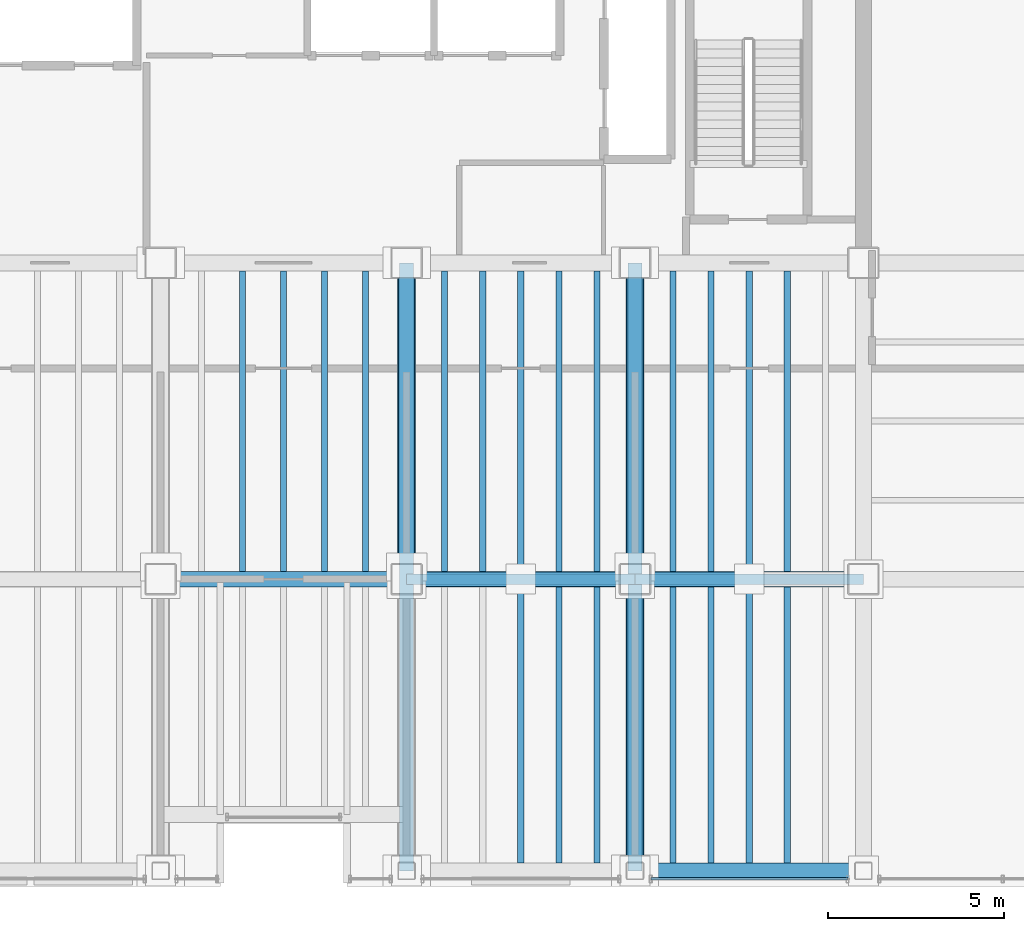
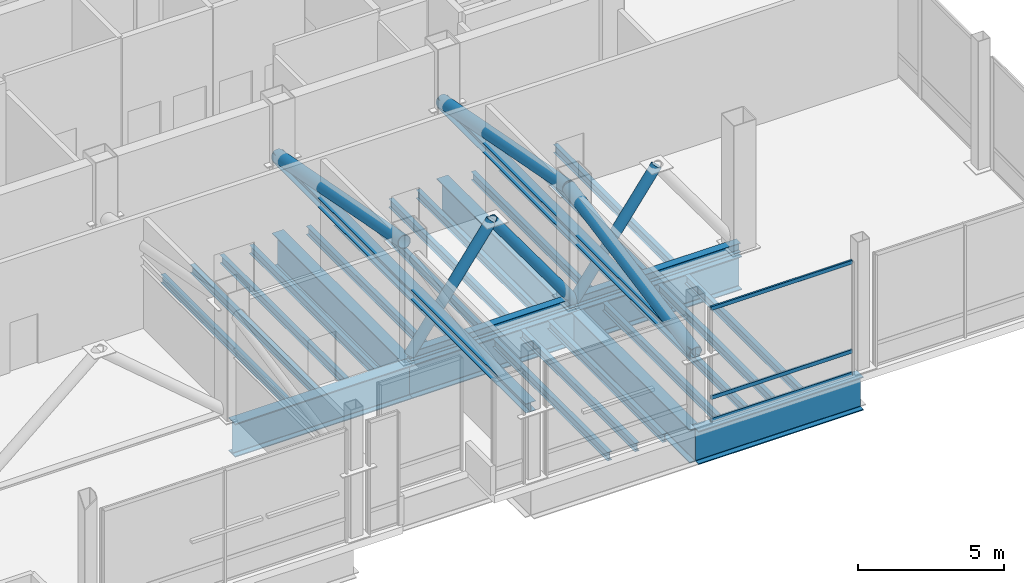
# One storey, part 6 of 18: 27 beams, 13 members, 1 element without a shape of its own.
"""IFC4 building model written with IfcOpenShell, lengths in metres."""

from ifc_helpers import new_model, si_unit, direction, frame, origin, origin_2d, place, context, subcontext, project, spatial, hollow_rectangle, hollow_circle, i_section, extrude, material, material_profile, profile_set, type_object, element, aggregate, save


model = new_model("IFC4")

# Units and contexts
model_context = context("Model", 3, precision=1e-05, world=origin(), true_north=direction((0.0, 1.0)))
body_context = subcontext(model_context, "Body", "Model", "MODEL_VIEW")
ifc_project = project(units=[si_unit("LENGTHUNIT", "METRE"), si_unit("AREAUNIT", "SQUARE_METRE"), si_unit("VOLUMEUNIT", "CUBIC_METRE"), si_unit("PLANEANGLEUNIT", "RADIAN"), si_unit("MASSUNIT", "GRAM", prefix="KILO")], contexts=[model_context])

# Site, building, storey
site_placement = place(None, origin())
site = spatial("IfcSite", under=ifc_project, at=site_placement, CompositionType="ELEMENT")
building_placement = place(site_placement, origin())
building = spatial("IfcBuilding", under=site, at=building_placement, Name="Noeulbin Bourse Tower", CompositionType="ELEMENT")
storey_placement = place(building_placement, frame((0.0, 0.0, 200.699951171875)))
storey = spatial("IfcBuildingStorey", under=building, at=storey_placement, Name="L50", CompositionType="ELEMENT", Elevation=200.699951171875)

# Beams
ifc_material_1 = material(Name="Steel S355", Category="steel")
ifc_material_profile_1 = material_profile(ifc_material_1, i_section(OverallWidth=0.175048828125, OverallDepth=0.35009765625, WebThickness=0.007080078125, FlangeThickness=0.010986328125, FilletRadius=0.013916015625, at=origin_2d()), Name="H-350x175x7x11", Category="LoadBearing")
ifc_profile_set_1 = profile_set([ifc_material_profile_1], Name="Steel S355")
beam_type_1 = type_object("IfcBeamType", Name="BM-JST-350", PredefinedType="JOIST", material=ifc_profile_set_1)
for number, where, z_axis, x_axis, name in (
    (1, (26.333251953125, 20.22509765625, -0.474853515625), (0.0, 1.0, 0.0), (-1.0, 0.0, 0.0), "Tower Composite Joist L50-20"),
    (2, (27.5, 20.22509765625, -0.474853515625), (0.0, 1.0, 0.0), (-1.0, 0.0, 0.0), "Tower Composite Joist L50-22"),
    (3, (28.666748046875, 20.22509765625, -0.474853515625), (0.0, 1.0, 0.0), (-1.0, 0.0, 0.0), "Tower Composite Joist L50-24"),
    (4, (29.833251953125, 20.22509765625, -0.474853515625), (0.0, 1.0, 0.0), (-1.0, 0.0, 0.0), "Tower Composite Joist L50-26"),
    (5, (32.083251953125, 20.22509765625, -0.474853515625), (0.0, 1.0, 0.0), (-1.0, 0.0, 0.0), "Tower Composite Joist L50-28"),
    (6, (33.166748046875, 20.22509765625, -0.474853515625), (0.0, 1.0, 0.0), (-1.0, 0.0, 0.0), "Tower Composite Joist L50-30"),
):
    element("IfcBeam", number, at=place(storey_placement, frame(where, z_axis=z_axis, x_axis=x_axis)), inside=storey, type_object=beam_type_1, Name=name, PredefinedType="JOIST", context=body_context, shape_type="SweptSolid", body=[
        extrude(i_section(OverallWidth=0.175048828125, OverallDepth=0.35009765625, WebThickness=0.007080078125, FlangeThickness=0.010986328125, FilletRadius=0.013916015625, at=origin_2d()), origin(), (0.0, 0.0, 1.0), 8.5498046875),
    ])
beam_1_placement = place(storey_placement, frame((34.25, 11.925048828125, -0.474853515625), z_axis=(0.0, 1.0, 0.0), x_axis=(-1.0, 0.0, 0.0)))
element("IfcBeam", 7, at=beam_1_placement, inside=storey, type_object=beam_type_1, Name="Tower Composite Joist L50-31", PredefinedType="JOIST", context=body_context, shape_type="SweptSolid", body=[
    extrude(i_section(OverallWidth=0.175048828125, OverallDepth=0.35009765625, WebThickness=0.007080078125, FlangeThickness=0.010986328125, FilletRadius=0.013916015625, at=origin_2d()), origin(), (0.0, 0.0, 1.0), 7.849853515625),
])
beam_2_placement = place(storey_placement, frame((34.25, 20.22509765625, -0.474853515625), z_axis=(0.0, 1.0, 0.0), x_axis=(-1.0, 0.0, 0.0)))
element("IfcBeam", 8, at=beam_2_placement, inside=storey, type_object=beam_type_1, Name="Tower Composite Joist L50-32", PredefinedType="JOIST", context=body_context, shape_type="SweptSolid", body=[
    extrude(i_section(OverallWidth=0.175048828125, OverallDepth=0.35009765625, WebThickness=0.007080078125, FlangeThickness=0.010986328125, FilletRadius=0.013916015625, at=origin_2d()), origin(), (0.0, 0.0, 1.0), 8.5498046875),
])
beam_3_placement = place(storey_placement, frame((35.333251953125, 11.925048828125, -0.474853515625), z_axis=(0.0, 1.0, 0.0), x_axis=(-1.0, 0.0, 0.0)))
element("IfcBeam", 9, at=beam_3_placement, inside=storey, type_object=beam_type_1, Name="Tower Composite Joist L50-33", PredefinedType="JOIST", context=body_context, shape_type="SweptSolid", body=[
    extrude(i_section(OverallWidth=0.175048828125, OverallDepth=0.35009765625, WebThickness=0.007080078125, FlangeThickness=0.010986328125, FilletRadius=0.013916015625, at=origin_2d()), origin(), (0.0, 0.0, 1.0), 7.849853515625),
])
beam_4_placement = place(storey_placement, frame((35.333251953125, 20.22509765625, -0.474853515625), z_axis=(0.0, 1.0, 0.0), x_axis=(-1.0, 0.0, 0.0)))
element("IfcBeam", 10, at=beam_4_placement, inside=storey, type_object=beam_type_1, Name="Tower Composite Joist L50-34", PredefinedType="JOIST", context=body_context, shape_type="SweptSolid", body=[
    extrude(i_section(OverallWidth=0.175048828125, OverallDepth=0.35009765625, WebThickness=0.007080078125, FlangeThickness=0.010986328125, FilletRadius=0.013916015625, at=origin_2d()), origin(), (0.0, 0.0, 1.0), 8.5498046875),
])
beam_5_placement = place(storey_placement, frame((36.416748046875, 11.925048828125, -0.474853515625), z_axis=(0.0, 1.0, 0.0), x_axis=(-1.0, 0.0, 0.0)))
element("IfcBeam", 11, at=beam_5_placement, inside=storey, type_object=beam_type_1, Name="Tower Composite Joist L50-35", PredefinedType="JOIST", context=body_context, shape_type="SweptSolid", body=[
    extrude(i_section(OverallWidth=0.175048828125, OverallDepth=0.35009765625, WebThickness=0.007080078125, FlangeThickness=0.010986328125, FilletRadius=0.013916015625, at=origin_2d()), origin(), (0.0, 0.0, 1.0), 7.849853515625),
])
beam_6_placement = place(storey_placement, frame((36.416748046875, 20.22509765625, -0.474853515625), z_axis=(0.0, 1.0, 0.0), x_axis=(-1.0, 0.0, 0.0)))
element("IfcBeam", 12, at=beam_6_placement, inside=storey, type_object=beam_type_1, Name="Tower Composite Joist L50-36", PredefinedType="JOIST", context=body_context, shape_type="SweptSolid", body=[
    extrude(i_section(OverallWidth=0.175048828125, OverallDepth=0.35009765625, WebThickness=0.007080078125, FlangeThickness=0.010986328125, FilletRadius=0.013916015625, at=origin_2d()), origin(), (0.0, 0.0, 1.0), 8.5498046875),
])
beam_7_placement = place(storey_placement, frame((38.583251953125, 11.925048828125, -0.474853515625), z_axis=(0.0, 1.0, 0.0), x_axis=(-1.0, 0.0, 0.0)))
element("IfcBeam", 13, at=beam_7_placement, inside=storey, type_object=beam_type_1, Name="Tower Composite Joist L50-37", PredefinedType="JOIST", context=body_context, shape_type="SweptSolid", body=[
    extrude(i_section(OverallWidth=0.175048828125, OverallDepth=0.35009765625, WebThickness=0.007080078125, FlangeThickness=0.010986328125, FilletRadius=0.013916015625, at=origin_2d()), origin(), (0.0, 0.0, 1.0), 7.849853515625),
])
beam_8_placement = place(storey_placement, frame((38.583251953125, 20.22509765625, -0.474853515625), z_axis=(0.0, 1.0, 0.0), x_axis=(-1.0, 0.0, 0.0)))
element("IfcBeam", 14, at=beam_8_placement, inside=storey, type_object=beam_type_1, Name="Tower Composite Joist L50-38", PredefinedType="JOIST", context=body_context, shape_type="SweptSolid", body=[
    extrude(i_section(OverallWidth=0.175048828125, OverallDepth=0.35009765625, WebThickness=0.007080078125, FlangeThickness=0.010986328125, FilletRadius=0.013916015625, at=origin_2d()), origin(), (0.0, 0.0, 1.0), 8.5498046875),
])
beam_9_placement = place(storey_placement, frame((39.666748046875, 11.925048828125, -0.474853515625), z_axis=(0.0, 1.0, 0.0), x_axis=(-1.0, 0.0, 0.0)))
element("IfcBeam", 15, at=beam_9_placement, inside=storey, type_object=beam_type_1, Name="Tower Composite Joist L50-39", PredefinedType="JOIST", context=body_context, shape_type="SweptSolid", body=[
    extrude(i_section(OverallWidth=0.175048828125, OverallDepth=0.35009765625, WebThickness=0.007080078125, FlangeThickness=0.010986328125, FilletRadius=0.013916015625, at=origin_2d()), origin(), (0.0, 0.0, 1.0), 7.849853515625),
])
beam_10_placement = place(storey_placement, frame((39.666748046875, 20.22509765625, -0.474853515625), z_axis=(0.0, 1.0, 0.0), x_axis=(-1.0, 0.0, 0.0)))
element("IfcBeam", 16, at=beam_10_placement, inside=storey, type_object=beam_type_1, Name="Tower Composite Joist L50-40", PredefinedType="JOIST", context=body_context, shape_type="SweptSolid", body=[
    extrude(i_section(OverallWidth=0.175048828125, OverallDepth=0.35009765625, WebThickness=0.007080078125, FlangeThickness=0.010986328125, FilletRadius=0.013916015625, at=origin_2d()), origin(), (0.0, 0.0, 1.0), 8.5498046875),
])
beam_11_placement = place(storey_placement, frame((40.75, 11.925048828125, -0.474853515625), z_axis=(0.0, 1.0, 0.0), x_axis=(-1.0, 0.0, 0.0)))
element("IfcBeam", 17, at=beam_11_placement, inside=storey, type_object=beam_type_1, Name="Tower Composite Joist L50-41", PredefinedType="JOIST", context=body_context, shape_type="SweptSolid", body=[
    extrude(i_section(OverallWidth=0.175048828125, OverallDepth=0.35009765625, WebThickness=0.007080078125, FlangeThickness=0.010986328125, FilletRadius=0.013916015625, at=origin_2d()), origin(), (0.0, 0.0, 1.0), 7.849853515625),
])
beam_12_placement = place(storey_placement, frame((40.75, 20.22509765625, -0.474853515625), z_axis=(0.0, 1.0, 0.0), x_axis=(-1.0, 0.0, 0.0)))
element("IfcBeam", 18, at=beam_12_placement, inside=storey, type_object=beam_type_1, Name="Tower Composite Joist L50-42", PredefinedType="JOIST", context=body_context, shape_type="SweptSolid", body=[
    extrude(i_section(OverallWidth=0.175048828125, OverallDepth=0.35009765625, WebThickness=0.007080078125, FlangeThickness=0.010986328125, FilletRadius=0.013916015625, at=origin_2d()), origin(), (0.0, 0.0, 1.0), 8.5498046875),
])
beam_13_placement = place(storey_placement, frame((41.833251953125, 11.925048828125, -0.474853515625), z_axis=(0.0, 1.0, 0.0), x_axis=(-1.0, 0.0, 0.0)))
element("IfcBeam", 19, at=beam_13_placement, inside=storey, type_object=beam_type_1, Name="Tower Composite Joist L50-43", PredefinedType="JOIST", context=body_context, shape_type="SweptSolid", body=[
    extrude(i_section(OverallWidth=0.175048828125, OverallDepth=0.35009765625, WebThickness=0.007080078125, FlangeThickness=0.010986328125, FilletRadius=0.013916015625, at=origin_2d()), origin(), (0.0, 0.0, 1.0), 7.849853515625),
])
beam_14_placement = place(storey_placement, frame((41.833251953125, 20.22509765625, -0.474853515625), z_axis=(0.0, 1.0, 0.0), x_axis=(-1.0, 0.0, 0.0)))
element("IfcBeam", 20, at=beam_14_placement, inside=storey, type_object=beam_type_1, Name="Tower Composite Joist L50-44", PredefinedType="JOIST", context=body_context, shape_type="SweptSolid", body=[
    extrude(i_section(OverallWidth=0.175048828125, OverallDepth=0.35009765625, WebThickness=0.007080078125, FlangeThickness=0.010986328125, FilletRadius=0.013916015625, at=origin_2d()), origin(), (0.0, 0.0, 1.0), 8.5498046875),
])
ifc_material_2 = material(Name="Steel S460", Category="steel")
ifc_material_profile_2 = material_profile(ifc_material_2, i_section(OverallWidth=0.449951171875, OverallDepth=1.39990234375, WebThickness=0.02392578125, FlangeThickness=0.0400390625, FilletRadius=0.02392578125, at=origin_2d()), Name="PG-1400x450x24x40", Category="LoadBearing")
ifc_profile_set_2 = profile_set([ifc_material_profile_2], Name="Steel S460")
beam_type_2 = type_object("IfcBeamType", Name="BM-TRF-1400", PredefinedType="USERDEFINED", material=ifc_profile_set_2)
beam_15_placement = place(storey_placement, frame((24.0, 20.0, -1.0), z_axis=(1.0, 0.0, 0.0), x_axis=(0.0, 1.0, 0.0)))
element("IfcBeam", 21, at=beam_15_placement, inside=storey, type_object=beam_type_2, Name="Tower Primary Girder EW L50-1.3", ObjectType="GIRDER", PredefinedType="USERDEFINED", context=body_context, shape_type="SweptSolid", body=[
    extrude(i_section(OverallWidth=0.449951171875, OverallDepth=1.39990234375, WebThickness=0.02392578125, FlangeThickness=0.0400390625, FilletRadius=0.02392578125, at=origin_2d()), origin(), (0.0, 0.0, 1.0), 7.0),
])
for number, where, z_axis, x_axis, name in (
    (22, (31.0, 20.0, -1.0), (1.0, 0.0, 0.0), (0.0, 1.0, 0.0), "Tower Primary Girder EW L50-1.4"),
    (23, (37.5, 20.0, -1.0), (1.0, 0.0, 0.0), (0.0, 1.0, 0.0), "Tower Primary Girder EW L50-1.5"),
):
    element("IfcBeam", number, at=place(storey_placement, frame(where, z_axis=z_axis, x_axis=x_axis)), inside=storey, type_object=beam_type_2, Name=name, ObjectType="GIRDER", PredefinedType="USERDEFINED", context=body_context, shape_type="SweptSolid", body=[
        extrude(i_section(OverallWidth=0.449951171875, OverallDepth=1.39990234375, WebThickness=0.02392578125, FlangeThickness=0.0400390625, FilletRadius=0.02392578125, at=origin_2d()), origin(), (0.0, 0.0, 1.0), 6.5),
    ])
beam_16_placement = place(storey_placement, frame((31.0, 20.0, -1.0), z_axis=(0.0, 1.0, 0.0), x_axis=(-1.0, 0.0, 0.0)))
element("IfcBeam", 24, at=beam_16_placement, inside=storey, type_object=beam_type_2, Name="Tower Primary Girder NS L50-3.2", ObjectType="GIRDER", PredefinedType="USERDEFINED", context=body_context, shape_type="SweptSolid", body=[
    extrude(i_section(OverallWidth=0.449951171875, OverallDepth=1.39990234375, WebThickness=0.02392578125, FlangeThickness=0.0400390625, FilletRadius=0.02392578125, at=origin_2d()), origin(), (0.0, 0.0, 1.0), 9.0),
])
beam_17_placement = place(storey_placement, frame((37.5, 11.699951171875, -1.0), z_axis=(0.0, 1.0, 0.0), x_axis=(-1.0, 0.0, 0.0)))
element("IfcBeam", 25, at=beam_17_placement, inside=storey, type_object=beam_type_2, Name="Tower Primary Girder NS L50-4.1", ObjectType="GIRDER", PredefinedType="USERDEFINED", context=body_context, shape_type="SweptSolid", body=[
    extrude(i_section(OverallWidth=0.449951171875, OverallDepth=1.39990234375, WebThickness=0.02392578125, FlangeThickness=0.0400390625, FilletRadius=0.02392578125, at=origin_2d()), origin(), (0.0, 0.0, 1.0), 8.300048828125),
])
beam_18_placement = place(storey_placement, frame((37.5, 20.0, -1.0), z_axis=(0.0, 1.0, 0.0), x_axis=(-1.0, 0.0, 0.0)))
element("IfcBeam", 26, at=beam_18_placement, inside=storey, type_object=beam_type_2, Name="Tower Primary Girder NS L50-4.2", ObjectType="GIRDER", PredefinedType="USERDEFINED", context=body_context, shape_type="SweptSolid", body=[
    extrude(i_section(OverallWidth=0.449951171875, OverallDepth=1.39990234375, WebThickness=0.02392578125, FlangeThickness=0.0400390625, FilletRadius=0.02392578125, at=origin_2d()), origin(), (0.0, 0.0, 1.0), 9.0),
])
beam_19_placement = place(storey_placement, frame((37.5, 11.699951171875, -1.0), z_axis=(1.0, 0.0, 0.0), x_axis=(0.0, 1.0, 0.0)))
element("IfcBeam", 27, at=beam_19_placement, inside=storey, type_object=beam_type_2, Name="South Spandrel L50-4", ObjectType="GIRDER", PredefinedType="USERDEFINED", context=body_context, shape_type="SweptSolid", body=[
    extrude(i_section(OverallWidth=0.449951171875, OverallDepth=1.39990234375, WebThickness=0.02392578125, FlangeThickness=0.0400390625, FilletRadius=0.02392578125, at=origin_2d()), origin(), (0.0, 0.0, 1.0), 6.5),
])

# Curtain wall, members
ifc_material_3 = material(Name="Translucent Ceramic-Fritted Glass", Category="glass")
curtain_wall_type = type_object("IfcCurtainWallType", Name="CW-SYS-5", PredefinedType="NOTDEFINED", material=ifc_material_3)
curtain_wall_placement = place(storey_placement, origin())
curtain_wall = element("IfcCurtainWall", 28, at=curtain_wall_placement, inside=storey, type_object=curtain_wall_type, Name="Unitised Curtain Wall CW-L50-S2-S3", PredefinedType="NOTDEFINED")
ifc_material_4 = material(Name="Anodised Aluminium 6063-T6", Category="aluminium")
ifc_material_profile_3 = material_profile(ifc_material_4, hollow_rectangle(XDim=0.074951171875, YDim=0.159912109375, WallThickness=0.0048828125, InnerFilletRadius=0.00244140625, OuterFilletRadius=0.0048828125, at=origin_2d()), Name="ALU-TRAN-75x160x5", Category="LoadBearing")
ifc_profile_set_3 = profile_set([ifc_material_profile_3], Name="Anodised Aluminium 6063-T6")
member_type_1 = type_object("IfcMemberType", Name="CW-SYS-5-TRN", PredefinedType="USERDEFINED", material=ifc_profile_set_3)
member_1_placement = place(storey_placement, frame((37.9599609375, 11.469970703125, 0.010009765625), z_axis=(1.0, 0.0, 0.0), x_axis=(0.0, 1.0, 0.0)))
member_1 = element("IfcMember", 29, at=member_1_placement, type_object=member_type_1, Name="Curtain Wall Transom CW-L50-S2-S3-T00", ObjectType="TRANSOM", PredefinedType="USERDEFINED", context=body_context, shape_type="SweptSolid", body=[
    extrude(hollow_rectangle(XDim=0.074951171875, YDim=0.159912109375, WallThickness=0.0048828125, InnerFilletRadius=0.00244140625, OuterFilletRadius=0.0048828125, at=origin_2d()), origin(), (0.0, 0.0, 1.0), 5.580078125),
])
member_2_placement = place(storey_placement, frame((37.9599609375, 11.469970703125, 0.949951171875), z_axis=(1.0, 0.0, 0.0), x_axis=(0.0, 1.0, 0.0)))
member_2 = element("IfcMember", 30, at=member_2_placement, type_object=member_type_1, Name="Curtain Wall Transom CW-L50-S2-S3-T01", ObjectType="TRANSOM", PredefinedType="USERDEFINED", context=body_context, shape_type="SweptSolid", body=[
    extrude(hollow_rectangle(XDim=0.074951171875, YDim=0.159912109375, WallThickness=0.0048828125, InnerFilletRadius=0.00244140625, OuterFilletRadius=0.0048828125, at=origin_2d()), origin(), (0.0, 0.0, 1.0), 5.580078125),
])
member_3_placement = place(storey_placement, frame((37.9599609375, 11.469970703125, 4.670166015625), z_axis=(1.0, 0.0, 0.0), x_axis=(0.0, 1.0, 0.0)))
member_3 = element("IfcMember", 31, at=member_3_placement, type_object=member_type_1, Name="Curtain Wall Transom CW-L50-S2-S3-T02", ObjectType="TRANSOM", PredefinedType="USERDEFINED", context=body_context, shape_type="SweptSolid", body=[
    extrude(hollow_rectangle(XDim=0.074951171875, YDim=0.159912109375, WallThickness=0.0048828125, InnerFilletRadius=0.00244140625, OuterFilletRadius=0.0048828125, at=origin_2d()), origin(), (0.0, 0.0, 1.0), 5.580078125),
])
aggregate(curtain_wall, [member_1, member_2, member_3])

# Members
ifc_material_profile_4 = material_profile(ifc_material_1, hollow_circle(Radius=0.203125, WallThickness=0.01611328125, at=origin_2d()), Name="CHS-406.4x16.0", Category="LoadBearing")
ifc_profile_set_4 = profile_set([ifc_material_profile_4], Name="Steel S355")
member_type_2 = type_object("IfcMemberType", Name="MEM-BLT-406", PredefinedType="BRACE", material=ifc_profile_set_4)
for number, where, z_axis, x_axis, name in (
    (32, (31.0, 20.0, 0.010009765625), (0.58634739167, 0.0, 0.810059711553), (0.0, 1.0, 0.0), "Interior Spine Belt Diagonal BT-L50-2A"),
    (33, (34.25, 20.0, 4.5), (0.58634739167, 0.0, -0.810059711553), (0.0, 1.0, 0.0), "Interior Spine Belt Diagonal BT-L50-2B"),
    (34, (37.5, 20.0, 0.010009765625), (0.58634739167, 0.0, 0.810059711553), (0.0, 1.0, 0.0), "Interior Spine Belt Diagonal BT-L50-3A"),
):
    element("IfcMember", number, at=place(storey_placement, frame(where, z_axis=z_axis, x_axis=x_axis)), inside=storey, type_object=member_type_2, Name=name, PredefinedType="BRACE", context=body_context, shape_type="SweptSolid", body=[
        extrude(hollow_circle(Radius=0.203125, WallThickness=0.01611328125, at=origin_2d()), origin(), (0.0, 0.0, 1.0), 5.542724609375),
    ])
ifc_material_profile_5 = material_profile(ifc_material_1, i_section(OverallWidth=0.300048828125, OverallDepth=0.389892578125, WebThickness=0.010009765625, FlangeThickness=0.01611328125, FilletRadius=0.01806640625, at=origin_2d()), Name="H-390x300x10x16", Category="LoadBearing")
ifc_profile_set_5 = profile_set([ifc_material_profile_5], Name="Steel S355")
member_type_3 = type_object("IfcMemberType", Name="MEM-CHD-390", PredefinedType="CHORD", material=ifc_profile_set_5)
for number, where, z_axis, x_axis, name in (
    (35, (31.0, 20.0, 0.010009765625), (1.0, 0.0, 0.0), (0.0, 1.0, 0.0), "Interior Spine Belt Chord CH-L50-B2"),
    (36, (37.5, 20.0, 0.010009765625), (1.0, 0.0, 0.0), (0.0, 1.0, 0.0), "Interior Spine Belt Chord CH-L50-B3"),
):
    element("IfcMember", number, at=place(storey_placement, frame(where, z_axis=z_axis, x_axis=x_axis)), inside=storey, type_object=member_type_3, Name=name, PredefinedType="CHORD", context=body_context, shape_type="SweptSolid", body=[
        extrude(i_section(OverallWidth=0.300048828125, OverallDepth=0.389892578125, WebThickness=0.010009765625, FlangeThickness=0.01611328125, FilletRadius=0.01806640625, at=origin_2d()), origin(), (0.0, 0.0, 1.0), 6.5),
    ])
ifc_material_profile_6 = material_profile(ifc_material_2, i_section(OverallWidth=0.39990234375, OverallDepth=0.39990234375, WebThickness=0.012939453125, FlangeThickness=0.02099609375, FilletRadius=0.02197265625, at=origin_2d()), Name="H-400x400x13x21", Category="LoadBearing")
ifc_profile_set_6 = profile_set([ifc_material_profile_6], Name="Steel S460")
member_type_4 = type_object("IfcMemberType", Name="MEM-CHD-400", PredefinedType="CHORD", material=ifc_profile_set_6)
for number, where, z_axis, x_axis, name in (
    (37, (31.0, 29.0, 2.85009765625), (0.0, -1.0, 0.0), (1.0, 0.0, 0.0), "Outrigger Bottom Chord CH-L50-2"),
    (38, (37.5, 29.0, 2.85009765625), (0.0, -1.0, 0.0), (1.0, 0.0, 0.0), "Outrigger Bottom Chord CH-L50-3"),
):
    element("IfcMember", number, at=place(storey_placement, frame(where, z_axis=z_axis, x_axis=x_axis)), inside=storey, type_object=member_type_4, Name=name, PredefinedType="CHORD", context=body_context, shape_type="SweptSolid", body=[
        extrude(i_section(OverallWidth=0.39990234375, OverallDepth=0.39990234375, WebThickness=0.012939453125, FlangeThickness=0.02099609375, FilletRadius=0.02197265625, at=origin_2d()), origin(), (0.0, 0.0, 1.0), 17.300048828125),
    ])
ifc_material_profile_7 = material_profile(ifc_material_2, hollow_circle(Radius=0.25390625, WallThickness=0.02197265625, at=origin_2d()), Name="CHS-508.0x22.0", Category="LoadBearing")
ifc_profile_set_7 = profile_set([ifc_material_profile_7], Name="Steel S460")
member_type_5 = type_object("IfcMemberType", Name="MEM-OUT-508", PredefinedType="BRACE", material=ifc_profile_set_7)
for number, where, z_axis, x_axis, name in (
    (39, (31.0, 29.0, 2.85009765625), (0.0, -0.982290485763, 0.187364355145), (1.0, 0.0, 0.0), "Outrigger Truss Diagonal OT-L50-2A"),
    (40, (37.5, 29.0, 2.85009765625), (0.0, -0.982290485763, 0.187364355145), (1.0, 0.0, 0.0), "Outrigger Truss Diagonal OT-L50-3A"),
):
    element("IfcMember", number, at=place(storey_placement, frame(where, z_axis=z_axis, x_axis=x_axis)), inside=storey, type_object=member_type_5, Name=name, PredefinedType="BRACE", context=body_context, shape_type="SweptSolid", body=[
        extrude(hollow_circle(Radius=0.25390625, WallThickness=0.02197265625, at=origin_2d()), origin(), (0.0, 0.0, 1.0), 8.805908203125),
    ])
member_4_placement = place(storey_placement, frame((37.5, 20.35009765625, 4.5), z_axis=(0.0, -0.982291459015, -0.187359252632), x_axis=(1.0, 0.0, 0.0)))
element("IfcMember", 41, at=member_4_placement, inside=storey, type_object=member_type_5, Name="Outrigger Truss Diagonal OT-L50-3B", PredefinedType="BRACE", context=body_context, shape_type="SweptSolid", body=[
    extrude(hollow_circle(Radius=0.25390625, WallThickness=0.02197265625, at=origin_2d()), origin(), (0.0, 0.0, 1.0), 8.80615234375),
])

save(model, "model.ifc")
